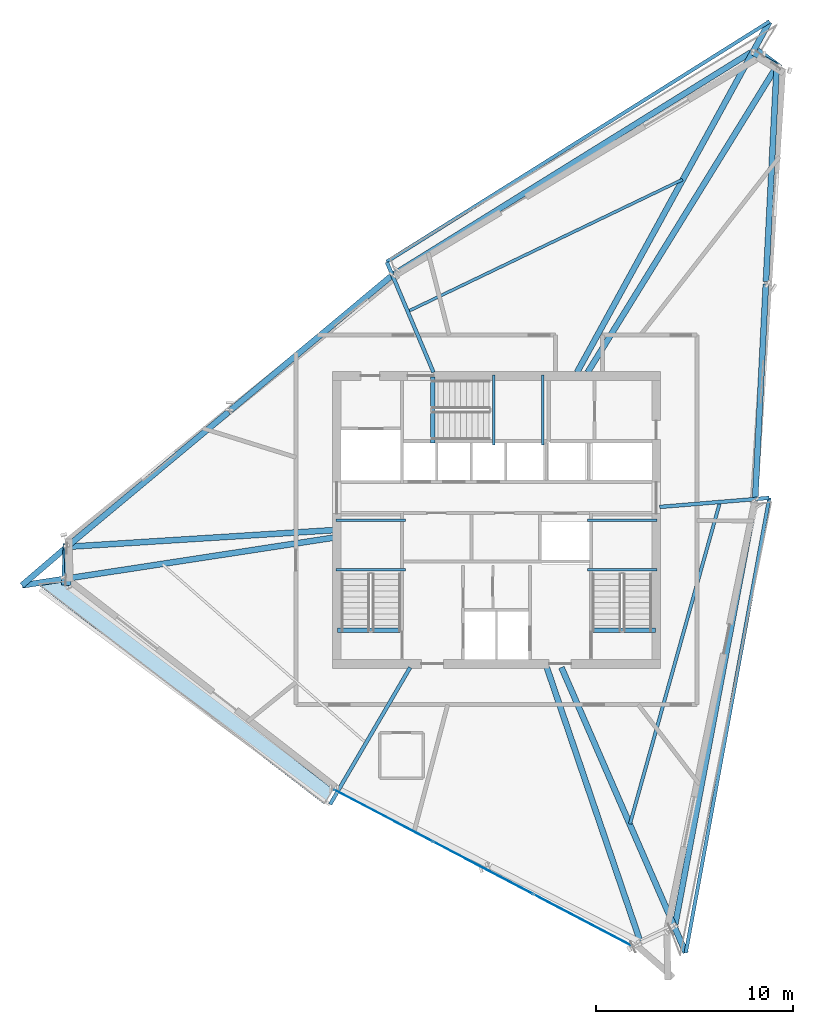
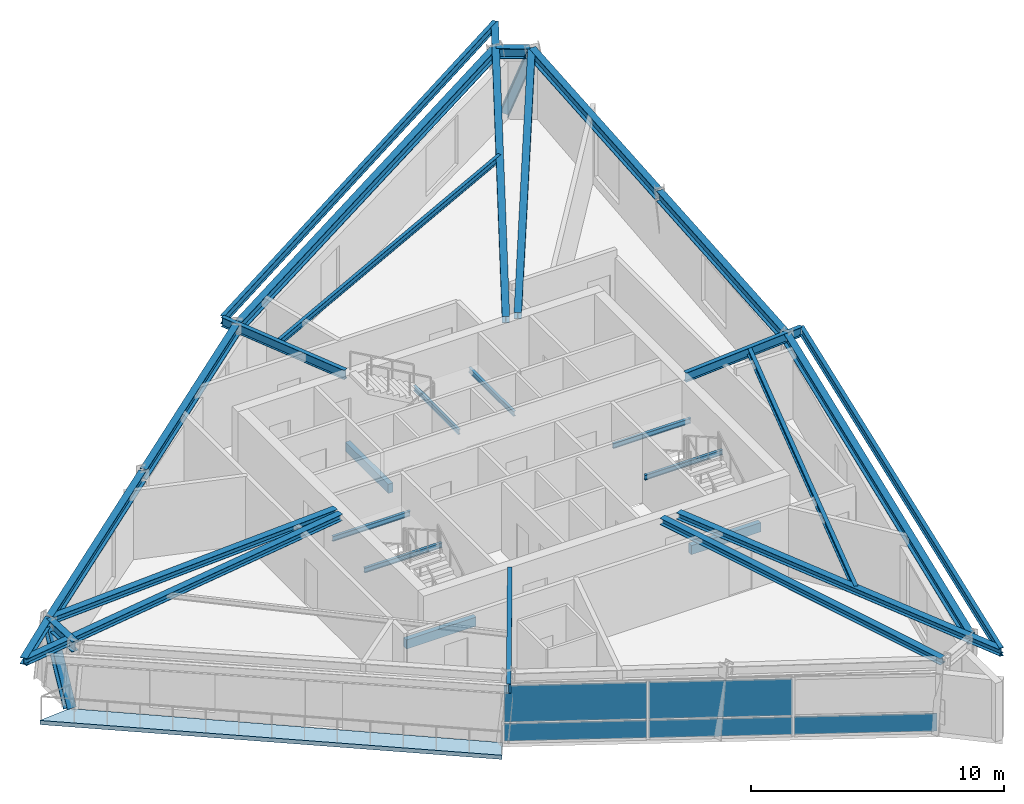
# One storey, part 5 of 14: 31 beams, 5 plates, 2 members, 1 slab, 1 element without a shape of its own.
"""IFC4 building model written with IfcOpenShell, lengths in metres."""

import ifcopenshell
import ifcopenshell.guid

model = None  # the IFC model being written
_history = None  # IfcOwnerHistory: only IFC2X3 demands one
_inside = {}  # id of a spatial element -> (the spatial element, [elements in it])
_under = {}  # id of a project, library or spatial element -> (it, [spatial elements below it])
_declared = {}  # id of a project -> (the project, [libraries it declares])
_typed = {}  # id of a type object -> (the type object, [elements of that type])
_made_of = {}  # id of a material, layer set ... -> (it, [elements and type objects made of it])


def new_model(schema):
    """Start an empty IFC model of exactly this schema.

    Asked for "IFC4X3", IfcOpenShell would pick the latest addendum, in which some entities
    have other attributes; the version numbers below select the first issue.
    IFC2X3 requires an IfcOwnerHistory on every rooted entity: one is made here for all.
    """
    global model, _history
    if schema == "IFC4X3":
        model = ifcopenshell.file(schema_version=(4, 3, 0, 0))
    else:
        model = ifcopenshell.file(schema=schema)
    _inside.clear()
    _under.clear()
    _declared.clear()
    _typed.clear()
    _made_of.clear()
    _history = None
    if model.schema == "IFC2X3":
        org = make("IfcOrganization", Name="unknown")
        user = make(
            "IfcPersonAndOrganization",
            ThePerson=make("IfcPerson", FamilyName="unknown"),
            TheOrganization=org,
        )
        app = make(
            "IfcApplication",
            ApplicationDeveloper=org,
            Version="unknown",
            ApplicationFullName="unknown",
            ApplicationIdentifier="unknown",
        )
        _history = make(
            "IfcOwnerHistory",
            OwningUser=user,
            OwningApplication=app,
            ChangeAction="ADDED",
            CreationDate=0,
        )
    return model


def make(cls, **values):
    """One entity of the class cls with the attributes given. An attribute that is None is left unset."""
    return model.create_entity(
        cls, **{name: value for name, value in values.items() if value is not None}
    )


def rooted(cls, **values):
    """An entity with a GlobalId (a new one), such as an element, a storey or a relation."""
    return make(cls, GlobalId=ifcopenshell.guid.new(), OwnerHistory=_history, **values)


def si_unit(unit_type, name, prefix=None):
    """IfcSIUnit, for example si_unit("LENGTHUNIT", "METRE", prefix="MILLI")."""
    return make("IfcSIUnit", UnitType=unit_type, Prefix=prefix, Name=name)


def assignment(units):
    """IfcUnitAssignment: the units of a project."""
    return None if units is None else make("IfcUnitAssignment", Units=units)


def point(xyz):
    """IfcCartesianPoint."""
    return None if xyz is None else make("IfcCartesianPoint", Coordinates=xyz)


def direction(xyz):
    """IfcDirection."""
    return None if xyz is None else make("IfcDirection", DirectionRatios=xyz)


def frame(location, z_axis=None, x_axis=None):
    """IfcAxis2Placement3D, a coordinate frame: its origin and axes. An axis left out is left unset."""
    return make(
        "IfcAxis2Placement3D",
        Location=point(location),
        Axis=direction(z_axis),
        RefDirection=direction(x_axis),
    )


def frame_2d(location, x_axis=None):
    """IfcAxis2Placement2D, a coordinate frame in the plane: its origin and x axis."""
    return make(
        "IfcAxis2Placement2D", Location=point(location), RefDirection=direction(x_axis)
    )


def origin():
    """The frame at (0, 0, 0) with its axes left unset."""
    return frame((0.0, 0.0, 0.0))


def origin_2d():
    """The frame at (0, 0) in the plane with its x axis left unset."""
    return frame_2d((0.0, 0.0))


def place(relative_to, where):
    """IfcLocalPlacement: puts the frame where relative to a parent placement (None: the world)."""
    return make(
        "IfcLocalPlacement", PlacementRelTo=relative_to, RelativePlacement=where
    )


def context(
    kind, dimensions, precision=None, world=None, true_north=None, identifier=None
):
    """IfcGeometricRepresentationContext, for example the 3D "Model" context."""
    return make(
        "IfcGeometricRepresentationContext",
        ContextIdentifier=identifier,
        ContextType=kind,
        CoordinateSpaceDimension=dimensions,
        Precision=precision,
        WorldCoordinateSystem=world,
        TrueNorth=true_north,
    )


def subcontext(parent, identifier, kind, view, scale=None):
    """IfcGeometricRepresentationSubContext, for example "Body" below "Model"."""
    return make(
        "IfcGeometricRepresentationSubContext",
        ContextIdentifier=identifier,
        ContextType=kind,
        ParentContext=parent,
        TargetScale=scale,
        TargetView=view,
    )


def project(units=None, contexts=None):
    """IfcProject with its units and contexts."""
    return rooted(
        "IfcProject",
        Name="project",
        RepresentationContexts=contexts,
        UnitsInContext=assignment(units),
    )


def spatial(cls, under=None, at=None, **own):
    """A site, building, storey or space (cls), placed at a placement, below another one or the project."""
    s = rooted(cls, ObjectPlacement=at, **own)
    if under is not None:
        _under.setdefault(under.id(), (under, []))[1].append(s)
    return s


def polyline(points):
    """IfcPolyline through the points."""
    return make("IfcPolyline", Points=[point(p) for p in points])


def profile(cls, at=None, kind="AREA", **sizes):
    """A parametric profile (cls). Its sizes go by their IFC names, for example OverallWidth=200.0."""
    return make(cls, ProfileType=kind, Position=at, **sizes)


def rectangle(**sizes):
    """IfcRectangleProfileDef."""
    return profile("IfcRectangleProfileDef", **sizes)


def i_section(**sizes):
    """IfcIShapeProfileDef."""
    return profile("IfcIShapeProfileDef", **sizes)


def outline(outer, holes=None, kind="AREA"):
    """IfcArbitraryClosedProfileDef: a profile drawn as a closed curve; with holes, ...WithVoids."""
    if holes is None:
        return make("IfcArbitraryClosedProfileDef", ProfileType=kind, OuterCurve=outer)
    return make(
        "IfcArbitraryProfileDefWithVoids",
        ProfileType=kind,
        OuterCurve=outer,
        InnerCurves=holes,
    )


def extrude(swept, where, along, depth):
    """IfcExtrudedAreaSolid: the profile swept, set in the frame where, extruded along a direction by depth."""
    return make(
        "IfcExtrudedAreaSolid",
        SweptArea=swept,
        Position=where,
        ExtrudedDirection=direction(along),
        Depth=depth,
    )


def shape(context_of_items, identifier, shape_type, items):
    """IfcShapeRepresentation: the items that make up one representation, for example the "Body"."""
    return make(
        "IfcShapeRepresentation",
        ContextOfItems=context_of_items,
        RepresentationIdentifier=identifier,
        RepresentationType=shape_type,
        Items=items,
    )


def source(mapping_origin, context_of_items, identifier, shape_type, items):
    """IfcRepresentationMap: a shape defined once, which mapped items show again and again."""
    return make(
        "IfcRepresentationMap",
        MappingOrigin=mapping_origin,
        MappedRepresentation=shape(context_of_items, identifier, shape_type, items),
    )


def transform(
    local_origin,
    x_axis=None,
    y_axis=None,
    z_axis=None,
    scale=None,
    scale2=None,
    scale3=None,
    uniform=True,
):
    """IfcCartesianTransformationOperator3D, or its non-uniform kind. x_axis, y_axis, z_axis: its Axis1, 2, 3."""
    if uniform:
        return make(
            "IfcCartesianTransformationOperator3D",
            Axis1=direction(x_axis),
            Axis2=direction(y_axis),
            LocalOrigin=point(local_origin),
            Scale=scale,
            Axis3=direction(z_axis),
        )
    return make(
        "IfcCartesianTransformationOperator3DnonUniform",
        Axis1=direction(x_axis),
        Axis2=direction(y_axis),
        LocalOrigin=point(local_origin),
        Scale=scale,
        Axis3=direction(z_axis),
        Scale2=scale2,
        Scale3=scale3,
    )


def mapped(mapping_source, mapping_target):
    """IfcMappedItem: shows the shape of a source again, moved by a transform."""
    return make(
        "IfcMappedItem", MappingSource=mapping_source, MappingTarget=mapping_target
    )


def material(Name=None, Category=None):
    """IfcMaterial."""
    return make("IfcMaterial", Name=Name, Category=Category)


def layer(
    of_material, thickness, ventilated=None, Name=None, Category=None, Priority=None
):
    """IfcMaterialLayer: one layer of a wall or slab, of a material (None: an air gap)."""
    return make(
        "IfcMaterialLayer",
        Material=of_material,
        LayerThickness=thickness,
        IsVentilated=ventilated,
        Name=Name,
        Category=Category,
        Priority=Priority,
    )


def layer_set(layers, Name=None):
    """IfcMaterialLayerSet."""
    return make("IfcMaterialLayerSet", MaterialLayers=layers, LayerSetName=Name)


def material_profile(
    of_material, cross_section, Name=None, Category=None, Priority=None
):
    """IfcMaterialProfile: a cross section and its material."""
    return make(
        "IfcMaterialProfile",
        Name=Name,
        Material=of_material,
        Profile=cross_section,
        Priority=Priority,
        Category=Category,
    )


def profile_set(profiles, Name=None, composite=None):
    """IfcMaterialProfileSet."""
    return make(
        "IfcMaterialProfileSet",
        Name=Name,
        MaterialProfiles=profiles,
        CompositeProfile=composite,
    )


def made_of(thing, what):
    """Note that an element or type object is made of a material, layer set ...; save() writes the relation."""
    if what is not None:
        _made_of.setdefault(what.id(), (what, []))[1].append(thing)
    return thing


def type_object(cls, material=None, **own):
    """A type object (cls), such as IfcWallType, which elements share."""
    return made_of(rooted(cls, **own), material)


def element(
    cls,
    number,
    at=None,
    inside=None,
    cuts=None,
    type_object=None,
    material=None,
    context=None,
    identifier="Body",
    shape_type=None,
    held_by="IfcProductDefinitionShape",
    body=None,
    shapes=None,
    **own,
):
    """One element of the class cls, such as IfcWall. Its Tag is "e" and its number.

    at: its placement. inside: the storey or other place that contains it. cuts: it is an
    opening in that element (IfcRelVoidsElement). A single representation is given by context,
    identifier, shape_type and body (its items); several are given by shapes. held_by: the class
    of the entity that holds the representations. save() writes the other relations.
    """
    e = rooted(cls, Tag="e%d" % number, ObjectPlacement=at, **own)
    if body is not None:
        shapes = [shape(context, identifier, shape_type, body)]
    if shapes is not None:
        e.Representation = make(held_by, Representations=shapes)
    if inside is not None:
        _inside.setdefault(inside.id(), (inside, []))[1].append(e)
    if cuts is not None:
        rooted(
            "IfcRelVoidsElement", RelatingBuildingElement=cuts, RelatedOpeningElement=e
        )
    if type_object is not None:
        _typed.setdefault(type_object.id(), (type_object, []))[1].append(e)
    return made_of(e, material)


def aggregate(whole, parts):
    """IfcRelAggregates: a whole, such as a stair, and the parts it consists of."""
    return rooted("IfcRelAggregates", RelatingObject=whole, RelatedObjects=parts)


def save(model, path):
    """Write the relations noted so far, then the file.

    IfcRelAggregates (storeys below a building ...), IfcRelContainedInSpatialStructure (elements
    in a storey), IfcRelDefinesByType, IfcRelAssociatesMaterial and IfcRelDeclares: one each for
    every whole, place, type object, material and project.
    """
    for whole, parts in _under.values():
        aggregate(whole, parts)
    for where, things in _inside.values():
        rooted(
            "IfcRelContainedInSpatialStructure",
            RelatedElements=things,
            RelatingStructure=where,
        )
    for kind, things in _typed.values():
        rooted("IfcRelDefinesByType", RelatedObjects=things, RelatingType=kind)
    for what, things in _made_of.values():
        rooted("IfcRelAssociatesMaterial", RelatedObjects=things, RelatingMaterial=what)
    for by, libraries in _declared.values():
        rooted("IfcRelDeclares", RelatingContext=by, RelatedDefinitions=libraries)
    model.write(path)


model = new_model("IFC4")

# Units and contexts
model_context = context("Model", 3, precision=1e-05, world=origin(), true_north=direction((0.0, 1.0)))
body_context = subcontext(model_context, "Body", "Model", "MODEL_VIEW")
ifc_project = project(units=[si_unit("LENGTHUNIT", "METRE"), si_unit("AREAUNIT", "SQUARE_METRE"), si_unit("VOLUMEUNIT", "CUBIC_METRE"), si_unit("PLANEANGLEUNIT", "RADIAN"), si_unit("MASSUNIT", "GRAM", prefix="KILO")], contexts=[model_context])

# Site, building, storey
site_placement = place(None, origin())
site = spatial("IfcSite", under=ifc_project, at=site_placement, CompositionType="ELEMENT")
building_placement = place(site_placement, origin())
building = spatial("IfcBuilding", under=site, at=building_placement, Name="Olszyna Solenne Hotel", CompositionType="ELEMENT")
storey_placement = place(building_placement, frame((0.0, 0.0, 274.10009765625)))
storey = spatial("IfcBuildingStorey", under=building, at=storey_placement, Name="L73", CompositionType="ELEMENT", Elevation=274.10009765625)

# Beams
ifc_material_1 = material(Name="Steel S355J2", Category="steel")
ifc_material_profile_1 = material_profile(ifc_material_1, i_section(OverallWidth=0.300048828125, OverallDepth=0.5, WebThickness=0.014404296875, FlangeThickness=0.028076171875, at=origin_2d()), Name="HEB 500", Category="load-bearing")
ifc_profile_set_1 = profile_set([ifc_material_profile_1], Name="Steel S355J2")
beam_type_1 = type_object("IfcBeamType", Name="BM-S3", PredefinedType="BEAM", material=ifc_profile_set_1)
shared_shape_1 = source(origin(), body_context, "Body", "SweptSolid", [
    extrude(i_section(OverallWidth=0.300048828125, OverallDepth=0.5, WebThickness=0.014404296875, FlangeThickness=0.028076171875, at=origin_2d()), origin(), (0.0, 0.0, 1.0), 1.340576171875),
])
beam_1_placement = place(storey_placement, frame((52.19873046875, 49.698974609375, 3.06982421875), z_axis=(-0.862149496171, 0.506653970923, 0.0), x_axis=(-0.506653970923, -0.862149496171, 0.0)))
element("IfcBeam", 1, at=beam_1_placement, inside=storey, type_object=beam_type_1, Name="Perimeter spandrel beam BM-S3 B-L73-2140", PredefinedType="BEAM", context=body_context, shape_type="MappedRepresentation", body=[
    mapped(shared_shape_1, transform((0.0, 0.0, 0.0), x_axis=(1.0, 0.0, 0.0), y_axis=(0.0, 1.0, 0.0), z_axis=(0.0, 0.0, 1.0), scale=1.0)),
])
shared_shape_2 = source(origin(), body_context, "Body", "SweptSolid", [
    extrude(i_section(OverallWidth=0.300048828125, OverallDepth=0.5, WebThickness=0.014404296875, FlangeThickness=0.028076171875, at=origin_2d()), origin(), (0.0, 0.0, 1.0), 21.4287109375),
])
beam_2_placement = place(storey_placement, frame((50.940185546875, 50.376953125, 3.06982421875), z_axis=(-0.849321219386, -0.52787637407, 0.0), x_axis=(0.52787637407, -0.849321219386, 0.0)))
element("IfcBeam", 2, at=beam_2_placement, inside=storey, type_object=beam_type_1, Name="Perimeter spandrel beam BM-S3 B-L73-2141", PredefinedType="BEAM", context=body_context, shape_type="MappedRepresentation", body=[
    mapped(shared_shape_2, transform((0.0, 0.0, 0.0), x_axis=(1.0, 0.0, 0.0), y_axis=(0.0, 1.0, 0.0), z_axis=(0.0, 0.0, 1.0), scale=1.0)),
])
shared_shape_3 = source(origin(), body_context, "Body", "SweptSolid", [
    extrude(i_section(OverallWidth=0.300048828125, OverallDepth=0.5, WebThickness=0.014404296875, FlangeThickness=0.028076171875, at=origin_2d()), origin(), (0.0, 0.0, 1.0), 10.654541015625),
])
for number, where, z_axis, x_axis, name in (
    (3, (32.643310546875, 38.9951171875, 3.06982421875), (-0.767787235301, -0.640704894089, 0.0), (0.640704894089, -0.767787235301, 0.0), "Perimeter spandrel beam BM-S3 B-L73-2142"),
    (4, (24.370849609375, 32.091796875, 3.06982421875), (-0.767766556399, -0.64072967379, 0.0), (0.64072967379, -0.767766556399, 0.0), "Perimeter spandrel beam BM-S3 B-L73-2143"),
):
    element("IfcBeam", number, at=place(storey_placement, frame(where, z_axis=z_axis, x_axis=x_axis)), inside=storey, type_object=beam_type_1, Name=name, PredefinedType="BEAM", context=body_context, shape_type="MappedRepresentation", body=[
        mapped(shared_shape_3, transform((0.0, 0.0, 0.0), x_axis=(1.0, 0.0, 0.0), y_axis=(0.0, 1.0, 0.0), z_axis=(0.0, 0.0, 1.0), scale=1.0)),
    ])
shared_shape_4 = source(origin(), body_context, "Body", "SweptSolid", [
    extrude(i_section(OverallWidth=0.300048828125, OverallDepth=0.5, WebThickness=0.014404296875, FlangeThickness=0.028076171875, at=origin_2d()), origin(), (0.0, 0.0, 1.0), 1.904052734375),
])
beam_3_placement = place(storey_placement, frame((16.146484375, 25.166748046875, 3.06982421875), z_axis=(0.035005476507, -0.999387120497, 0.0), x_axis=(0.999387120497, 0.035005476507, 0.0)))
element("IfcBeam", 5, at=beam_3_placement, inside=storey, type_object=beam_type_1, Name="Perimeter spandrel beam BM-S3 B-L73-2144", PredefinedType="BEAM", context=body_context, shape_type="MappedRepresentation", body=[
    mapped(shared_shape_4, transform((0.0, 0.0, 0.0), x_axis=(1.0, 0.0, 0.0), y_axis=(0.0, 1.0, 0.0), z_axis=(0.0, 0.0, 1.0), scale=1.0)),
])
shared_shape_5 = source(origin(), body_context, "Body", "SweptSolid", [
    extrude(i_section(OverallWidth=0.300048828125, OverallDepth=0.5, WebThickness=0.014404296875, FlangeThickness=0.028076171875, at=origin_2d()), origin(), (0.0, 0.0, 1.0), 21.933349609375),
])
beam_4_placement = place(storey_placement, frame((47.089111328125, 6.028076171875, 3.06982421875), z_axis=(0.184809359819, 0.982774389432, 0.0), x_axis=(-0.982774389432, 0.184809359819, 0.0)))
element("IfcBeam", 6, at=beam_4_placement, inside=storey, type_object=beam_type_1, Name="Perimeter spandrel beam BM-S3 B-L73-2149", PredefinedType="BEAM", context=body_context, shape_type="MappedRepresentation", body=[
    mapped(shared_shape_5, transform((0.0, 0.0, 0.0), x_axis=(1.0, 0.0, 0.0), y_axis=(0.0, 1.0, 0.0), z_axis=(0.0, 0.0, 1.0), scale=1.0)),
])
shared_shape_6 = source(origin(), body_context, "Body", "SweptSolid", [
    extrude(i_section(OverallWidth=0.300048828125, OverallDepth=0.5, WebThickness=0.014404296875, FlangeThickness=0.028076171875, at=origin_2d()), origin(), (0.0, 0.0, 1.0), 10.90673828125),
])
for number, where, z_axis, x_axis, name in (
    (7, (51.15673828125, 27.702392578125, 3.06982421875), (0.049715447713, 0.998763422567, 0.0), (-0.998763422567, 0.049715447713, 0.0), "Perimeter spandrel beam BM-S3 B-L73-2150"),
    (8, (51.705078125, 38.71533203125, 3.06982421875), (0.049715447713, 0.998763422567, 0.0), (-0.998763422567, 0.049715447713, 0.0), "Perimeter spandrel beam BM-S3 B-L73-2151"),
):
    element("IfcBeam", number, at=place(storey_placement, frame(where, z_axis=z_axis, x_axis=x_axis)), inside=storey, type_object=beam_type_1, Name=name, PredefinedType="BEAM", context=body_context, shape_type="MappedRepresentation", body=[
        mapped(shared_shape_6, transform((0.0, 0.0, 0.0), x_axis=(1.0, 0.0, 0.0), y_axis=(0.0, 1.0, 0.0), z_axis=(0.0, 0.0, 1.0), scale=1.0)),
    ])
ifc_material_profile_2 = material_profile(ifc_material_1, i_section(OverallWidth=0.300048828125, OverallDepth=0.31005859375, WebThickness=0.009033203125, FlangeThickness=0.015380859375, at=origin_2d()), Name="HEA 320", Category="load-bearing")
ifc_profile_set_2 = profile_set([ifc_material_profile_2], Name="Steel S355J2")
beam_type_2 = type_object("IfcBeamType", Name="BM-G3", PredefinedType="BEAM", material=ifc_profile_set_2)
shared_shape_7 = source(origin(), body_context, "Body", "SweptSolid", [
    extrude(i_section(OverallWidth=0.300048828125, OverallDepth=0.31005859375, WebThickness=0.009033203125, FlangeThickness=0.015380859375, at=origin_2d()), origin(), (0.0, 0.0, 1.0), 18.230712890625),
])
beam_5_placement = place(storey_placement, frame((52.218994140625, 49.617431640625, 3.164794921875), z_axis=(-0.525555888028, -0.850759077859, 0.0), x_axis=(0.850759077859, -0.525555888028, 0.0)))
element("IfcBeam", 9, at=beam_5_placement, inside=storey, type_object=beam_type_2, Name="Radial floor girder BM-G3 B-L73-2152", PredefinedType="BEAM", context=body_context, shape_type="MappedRepresentation", body=[
    mapped(shared_shape_7, transform((0.0, 0.0, 0.0), x_axis=(1.0, 0.0, 0.0), y_axis=(0.0, 1.0, 0.0), z_axis=(0.0, 0.0, 1.0), scale=1.0)),
])
shared_shape_8 = source(origin(), body_context, "Body", "SweptSolid", [
    extrude(i_section(OverallWidth=0.300048828125, OverallDepth=0.31005859375, WebThickness=0.009033203125, FlangeThickness=0.015380859375, at=origin_2d()), origin(), (0.0, 0.0, 1.0), 20.331787109375),
])
beam_6_placement = place(storey_placement, frame((51.876953125, 51.9306640625, 3.164794921875), z_axis=(-0.481080058178, -0.876676666522, 0.0), x_axis=(0.876676666522, -0.481080058178, 0.0)))
element("IfcBeam", 10, at=beam_6_placement, inside=storey, type_object=beam_type_2, Name="Radial floor girder BM-G3 B-L73-2153", PredefinedType="BEAM", context=body_context, shape_type="MappedRepresentation", body=[
    mapped(shared_shape_8, transform((0.0, 0.0, 0.0), x_axis=(1.0, 0.0, 0.0), y_axis=(0.0, 1.0, 0.0), z_axis=(0.0, 0.0, 1.0), scale=1.0)),
])
ifc_material_profile_3 = material_profile(ifc_material_1, i_section(OverallWidth=0.18994140625, OverallDepth=0.449951171875, WebThickness=0.009521484375, FlangeThickness=0.0146484375, at=origin_2d()), Name="IPE 450", Category="load-bearing")
ifc_profile_set_3 = profile_set([ifc_material_profile_3], Name="Steel S355J2")
beam_type_3 = type_object("IfcBeamType", Name="BM-F4", PredefinedType="BEAM", material=ifc_profile_set_3)
shared_shape_9 = source(origin(), body_context, "Body", "SweptSolid", [
    extrude(i_section(OverallWidth=0.18994140625, OverallDepth=0.449951171875, WebThickness=0.009521484375, FlangeThickness=0.0146484375, at=origin_2d()), origin(), (0.0, 0.0, 1.0), 6.086669921875),
])
beam_7_placement = place(storey_placement, frame((32.4228515625, 39.70947265625, 3.094970703125), z_axis=(0.389713265432, -0.920936246842, 0.0), x_axis=(0.920936246842, 0.389713265432, 0.0)))
element("IfcBeam", 11, at=beam_7_placement, inside=storey, type_object=beam_type_3, Name="Radial floor girder BM-F4 B-L73-2154", PredefinedType="BEAM", context=body_context, shape_type="MappedRepresentation", body=[
    mapped(shared_shape_9, transform((0.0, 0.0, 0.0), x_axis=(1.0, 0.0, 0.0), y_axis=(0.0, 1.0, 0.0), z_axis=(0.0, 0.0, 1.0), scale=1.0)),
])
shared_shape_10 = source(origin(), body_context, "Body", "SweptSolid", [
    extrude(i_section(OverallWidth=0.300048828125, OverallDepth=0.31005859375, WebThickness=0.009033203125, FlangeThickness=0.015380859375, at=origin_2d()), origin(), (0.0, 0.0, 1.0), 13.522216796875),
])
beam_8_placement = place(storey_placement, frame((16.204345703125, 25.230712890625, 3.164794921875), z_axis=(0.998032152153, 0.062704252405, 0.0), x_axis=(-0.062704252405, 0.998032152153, 0.0)))
element("IfcBeam", 12, at=beam_8_placement, inside=storey, type_object=beam_type_2, Name="Radial floor girder BM-G3 B-L73-2155", PredefinedType="BEAM", context=body_context, shape_type="MappedRepresentation", body=[
    mapped(shared_shape_10, transform((0.0, 0.0, 0.0), x_axis=(1.0, 0.0, 0.0), y_axis=(0.0, 1.0, 0.0), z_axis=(0.0, 0.0, 1.0), scale=1.0)),
])
shared_shape_11 = source(origin(), body_context, "Body", "SweptSolid", [
    extrude(i_section(OverallWidth=0.300048828125, OverallDepth=0.31005859375, WebThickness=0.009033203125, FlangeThickness=0.015380859375, at=origin_2d()), origin(), (0.0, 0.0, 1.0), 16.002685546875),
])
beam_9_placement = place(storey_placement, frame((13.88134765625, 23.270751953125, 3.164794921875), z_axis=(0.988479212834, 0.151356684012, 0.0), x_axis=(-0.151356684012, 0.988479212834, 0.0)))
element("IfcBeam", 13, at=beam_9_placement, inside=storey, type_object=beam_type_2, Name="Radial floor girder BM-G3 B-L73-2156", PredefinedType="BEAM", context=body_context, shape_type="MappedRepresentation", body=[
    mapped(shared_shape_11, transform((0.0, 0.0, 0.0), x_axis=(1.0, 0.0, 0.0), y_axis=(0.0, 1.0, 0.0), z_axis=(0.0, 0.0, 1.0), scale=1.0)),
])
shared_shape_12 = source(origin(), body_context, "Body", "SweptSolid", [
    extrude(i_section(OverallWidth=0.18994140625, OverallDepth=0.449951171875, WebThickness=0.009521484375, FlangeThickness=0.0146484375, at=origin_2d()), origin(), (0.0, 0.0, 1.0), 8.058349609375),
])
beam_10_placement = place(storey_placement, frame((29.5390625, 12.136962890625, 3.094970703125), z_axis=(0.504799406762, 0.863236676082, 0.0), x_axis=(-0.863236676082, 0.504799406762, 0.0)))
element("IfcBeam", 14, at=beam_10_placement, inside=storey, type_object=beam_type_3, Name="Radial floor girder BM-F4 B-L73-2157", PredefinedType="BEAM", context=body_context, shape_type="MappedRepresentation", body=[
    mapped(shared_shape_12, transform((0.0, 0.0, 0.0), x_axis=(1.0, 0.0, 0.0), y_axis=(0.0, 1.0, 0.0), z_axis=(0.0, 0.0, 1.0), scale=1.0)),
])
shared_shape_13 = source(origin(), body_context, "Body", "SweptSolid", [
    extrude(i_section(OverallWidth=0.300048828125, OverallDepth=0.31005859375, WebThickness=0.009033203125, FlangeThickness=0.015380859375, at=origin_2d()), origin(), (0.0, 0.0, 1.0), 14.70361328125),
])
beam_11_placement = place(storey_placement, frame((45.301513671875, 5.18017578125, 3.164794921875), z_axis=(-0.322636400945, 0.94652298059, 0.0), x_axis=(-0.94652298059, -0.322636400945, 0.0)))
element("IfcBeam", 15, at=beam_11_placement, inside=storey, type_object=beam_type_2, Name="Radial floor girder BM-G3 B-L73-2158", PredefinedType="BEAM", context=body_context, shape_type="MappedRepresentation", body=[
    mapped(shared_shape_13, transform((0.0, 0.0, 0.0), x_axis=(1.0, 0.0, 0.0), y_axis=(0.0, 1.0, 0.0), z_axis=(0.0, 0.0, 1.0), scale=1.0)),
])
shared_shape_14 = source(origin(), body_context, "Body", "SweptSolid", [
    extrude(i_section(OverallWidth=0.300048828125, OverallDepth=0.31005859375, WebThickness=0.009033203125, FlangeThickness=0.015380859375, at=origin_2d()), origin(), (0.0, 0.0, 1.0), 15.813232421875),
])
beam_12_placement = place(storey_placement, frame((47.618408203125, 4.5986328125, 3.164794921875), z_axis=(-0.399435052258, 0.916761495171, 0.0), x_axis=(-0.916761495171, -0.399435052258, 0.0)))
element("IfcBeam", 16, at=beam_12_placement, inside=storey, type_object=beam_type_2, Name="Radial floor girder BM-G3 B-L73-2159", PredefinedType="BEAM", context=body_context, shape_type="MappedRepresentation", body=[
    mapped(shared_shape_14, transform((0.0, 0.0, 0.0), x_axis=(1.0, 0.0, 0.0), y_axis=(0.0, 1.0, 0.0), z_axis=(0.0, 0.0, 1.0), scale=1.0)),
])
shared_shape_15 = source(origin(), body_context, "Body", "SweptSolid", [
    extrude(i_section(OverallWidth=0.18994140625, OverallDepth=0.449951171875, WebThickness=0.009521484375, FlangeThickness=0.0146484375, at=origin_2d()), origin(), (0.0, 0.0, 1.0), 5.57421875),
])
beam_13_placement = place(storey_placement, frame((51.855712890625, 27.71630859375, 3.094970703125), z_axis=(-0.996611591393, -0.082251661992, 0.0), x_axis=(0.082251661992, -0.996611591393, 0.0)))
element("IfcBeam", 17, at=beam_13_placement, inside=storey, type_object=beam_type_3, Name="Radial floor girder BM-F4 B-L73-2160", PredefinedType="BEAM", context=body_context, shape_type="MappedRepresentation", body=[
    mapped(shared_shape_15, transform((0.0, 0.0, 0.0), x_axis=(1.0, 0.0, 0.0), y_axis=(0.0, 1.0, 0.0), z_axis=(0.0, 0.0, 1.0), scale=1.0)),
])
shared_shape_16 = source(origin(), body_context, "Body", "SweptSolid", [
    extrude(i_section(OverallWidth=0.300048828125, OverallDepth=0.31005859375, WebThickness=0.009033203125, FlangeThickness=0.015380859375, at=origin_2d()), origin(), (0.0, 0.0, 1.0), 3.00830078125),
])
beam_14_placement = place(storey_placement, frame((16.14453125, 25.226806640625, 3.164794921875), z_axis=(-0.758861199742, -0.651252393106, 0.0), x_axis=(0.651252393106, -0.758861199742, 0.0)))
element("IfcBeam", 18, at=beam_14_placement, inside=storey, type_object=beam_type_2, Name="Prism side edge beam BM-G3 B-L73-2161", PredefinedType="BEAM", context=body_context, shape_type="MappedRepresentation", body=[
    mapped(shared_shape_16, transform((0.0, 0.0, 0.0), x_axis=(1.0, 0.0, 0.0), y_axis=(0.0, 1.0, 0.0), z_axis=(0.0, 0.0, 1.0), scale=1.0)),
])
ifc_material_profile_4 = material_profile(ifc_material_1, i_section(OverallWidth=0.14990234375, OverallDepth=0.300048828125, WebThickness=0.007080078125, FlangeThickness=0.0107421875, at=origin_2d()), Name="IPE 300", Category="load-bearing")
ifc_profile_set_4 = profile_set([ifc_material_profile_4], Name="Steel S355J2")
beam_type_4 = type_object("IfcBeamType", Name="JS-02", PredefinedType="JOIST", material=ifc_profile_set_4)
shared_shape_17 = source(origin(), body_context, "Body", "SweptSolid", [
    extrude(i_section(OverallWidth=0.14990234375, OverallDepth=0.300048828125, WebThickness=0.007080078125, FlangeThickness=0.0107421875, at=origin_2d()), origin(), (0.0, 0.0, 1.0), 15.485595703125),
])
beam_15_placement = place(storey_placement, frame((47.462646484375, 43.91064453125, 3.169921875), z_axis=(-0.901406165407, -0.432974508449, 0.0), x_axis=(0.432974508449, -0.901406165407, 0.0)))
element("IfcBeam", 19, at=beam_15_placement, inside=storey, type_object=beam_type_4, Name="Secondary composite floor joist JS-02 B-L73-2162", PredefinedType="JOIST", context=body_context, shape_type="MappedRepresentation", body=[
    mapped(shared_shape_17, transform((0.0, 0.0, 0.0), x_axis=(1.0, 0.0, 0.0), y_axis=(0.0, 1.0, 0.0), z_axis=(0.0, 0.0, 1.0), scale=1.0)),
])
ifc_material_profile_5 = material_profile(ifc_material_1, i_section(OverallWidth=0.169921875, OverallDepth=0.360107421875, WebThickness=0.008056640625, FlangeThickness=0.0126953125, at=origin_2d()), Name="IPE 360", Category="load-bearing")
ifc_profile_set_5 = profile_set([ifc_material_profile_5], Name="Steel S355J2")
beam_type_5 = type_object("IfcBeamType", Name="JS-01", PredefinedType="JOIST", material=ifc_profile_set_5)
shared_shape_18 = source(origin(), body_context, "Body", "SweptSolid", [
    extrude(i_section(OverallWidth=0.169921875, OverallDepth=0.360107421875, WebThickness=0.008056640625, FlangeThickness=0.0126953125, at=origin_2d()), origin(), (0.0, 0.0, 1.0), 16.987548828125),
])
beam_16_placement = place(storey_placement, frame((44.785888671875, 11.131591796875, 3.139892578125), z_axis=(0.269339388106, 0.963045322929, 0.0), x_axis=(-0.963045322929, 0.269339388106, 0.0)))
element("IfcBeam", 20, at=beam_16_placement, inside=storey, type_object=beam_type_5, Name="Secondary composite floor joist JS-01 B-L73-2164", PredefinedType="JOIST", context=body_context, shape_type="MappedRepresentation", body=[
    mapped(shared_shape_18, transform((0.0, 0.0, 0.0), x_axis=(1.0, 0.0, 0.0), y_axis=(0.0, 1.0, 0.0), z_axis=(0.0, 0.0, 1.0), scale=1.0)),
])
ifc_material_profile_6 = material_profile(ifc_material_1, i_section(OverallWidth=0.179931640625, OverallDepth=0.39990234375, WebThickness=0.008544921875, FlangeThickness=0.013427734375, at=origin_2d()), Name="IPE 400", Category="load-bearing")
ifc_profile_set_6 = profile_set([ifc_material_profile_6], Name="Steel S355J2")
beam_type_6 = type_object("IfcBeamType", Name="BM-F5", PredefinedType="BEAM", material=ifc_profile_set_6)
shared_shape_19 = source(origin(), body_context, "Body", "SweptSolid", [
    extrude(i_section(OverallWidth=0.179931640625, OverallDepth=0.39990234375, WebThickness=0.008544921875, FlangeThickness=0.013427734375, at=origin_2d()), origin(), (0.0, 0.0, 1.0), 22.988525390625),
])
beam_17_placement = place(storey_placement, frame((51.886474609375, 51.9482421875, 3.119873046875), z_axis=(-0.847003420563, -0.531587439236, 0.0), x_axis=(0.531587439236, -0.847003420563, 0.0)))
element("IfcBeam", 21, at=beam_17_placement, inside=storey, type_object=beam_type_6, Name="Loggia outer edge beam BM-F5 B-L73-2165", PredefinedType="BEAM", context=body_context, shape_type="MappedRepresentation", body=[
    mapped(shared_shape_19, transform((0.0, 0.0, 0.0), x_axis=(1.0, 0.0, 0.0), y_axis=(0.0, 1.0, 0.0), z_axis=(0.0, 0.0, 1.0), scale=1.0)),
])
shared_shape_20 = source(origin(), body_context, "Body", "SweptSolid", [
    extrude(i_section(OverallWidth=0.179931640625, OverallDepth=0.39990234375, WebThickness=0.008544921875, FlangeThickness=0.013427734375, at=origin_2d()), origin(), (0.0, 0.0, 1.0), 23.5244140625),
])
beam_18_placement = place(storey_placement, frame((47.62646484375, 4.580322265625, 3.119873046875), z_axis=(0.180632260863, 0.98355070349, 0.0), x_axis=(-0.98355070349, 0.180632260863, 0.0)))
element("IfcBeam", 22, at=beam_18_placement, inside=storey, type_object=beam_type_6, Name="Loggia outer edge beam BM-F5 B-L73-2167", PredefinedType="BEAM", context=body_context, shape_type="MappedRepresentation", body=[
    mapped(shared_shape_20, transform((0.0, 0.0, 0.0), x_axis=(1.0, 0.0, 0.0), y_axis=(0.0, 1.0, 0.0), z_axis=(0.0, 0.0, 1.0), scale=1.0)),
])

# Members
ifc_material_2 = material(Name="Steel S460M", Category="steel")
ifc_material_profile_7 = material_profile(ifc_material_2, i_section(OverallWidth=0.40087890625, OverallDepth=0.39892578125, WebThickness=0.02197265625, FlangeThickness=0.034423828125, at=origin_2d()), Name="HD 400x314", Category="load-bearing")
ifc_profile_set_7 = profile_set([ifc_material_profile_7], Name="Steel S460M")
member_type = type_object("IfcMemberType", Name="BR-T3", PredefinedType="BRACE", material=ifc_profile_set_7)
shared_shape_21 = source(origin(), body_context, "Body", "SweptSolid", [
    extrude(i_section(OverallWidth=0.40087890625, OverallDepth=0.39892578125, WebThickness=0.02197265625, FlangeThickness=0.034423828125, at=origin_2d()), origin(), (0.0, 0.0, 1.0), 3.224853515625),
])
member_1_placement = place(storey_placement, frame((51.379638671875, 50.32470703125, 0.010009765625), z_axis=(0.270042445863, -0.203497082837, 0.941098302362), x_axis=(0.601825405376, 0.798627686375, 0.0)))
element("IfcMember", 23, at=member_1_placement, inside=storey, type_object=member_type, Name="Perimeter braced-tube diagonal BR-T3 BR-L73-1", PredefinedType="BRACE", context=body_context, shape_type="MappedRepresentation", body=[
    mapped(shared_shape_21, transform((0.0, 0.0, 0.0), x_axis=(1.0, 0.0, 0.0), y_axis=(0.0, 1.0, 0.0), z_axis=(0.0, 0.0, 1.0), scale=1.0)),
])
shared_shape_22 = source(origin(), body_context, "Body", "SweptSolid", [
    extrude(i_section(OverallWidth=0.40087890625, OverallDepth=0.39892578125, WebThickness=0.02197265625, FlangeThickness=0.034423828125, at=origin_2d()), origin(), (0.0, 0.0, 1.0), 3.51025390625),
])
member_2_placement = place(storey_placement, frame((16.08447265625, 23.4638671875, 0.010009765625), z_axis=(0.017109214837, 0.50221805016, 0.864571746509), x_axis=(-0.999420214027, 0.034047551953, 0.0)))
element("IfcMember", 24, at=member_2_placement, inside=storey, type_object=member_type, Name="Perimeter braced-tube diagonal BR-T3 BR-L73-2", PredefinedType="BRACE", context=body_context, shape_type="MappedRepresentation", body=[
    mapped(shared_shape_22, transform((0.0, 0.0, 0.0), x_axis=(1.0, 0.0, 0.0), y_axis=(0.0, 1.0, 0.0), z_axis=(0.0, 0.0, 1.0), scale=1.0)),
])

# Beams
ifc_material_profile_8 = material_profile(ifc_material_1, i_section(OverallWidth=0.1201171875, OverallDepth=0.239990234375, WebThickness=0.006103515625, FlangeThickness=0.009765625, at=origin_2d()), Name="IPE 240", Category="load-bearing")
ifc_profile_set_8 = profile_set([ifc_material_profile_8], Name="Steel S355J2")
beam_type_7 = type_object("IfcBeamType", Name="JS-03", PredefinedType="JOIST", material=ifc_profile_set_8)
shared_shape_23 = source(origin(), body_context, "Body", "SweptSolid", [
    extrude(i_section(OverallWidth=0.1201171875, OverallDepth=0.239990234375, WebThickness=0.006103515625, FlangeThickness=0.009765625, at=origin_2d()), origin(), (0.0, 0.0, 1.0), 3.539794921875),
])
for number, where, z_axis, x_axis, name in (
    (25, (33.3798828125, 24.070068359375, 1.474853515625), (-1.0, 0.0, 0.0), (0.0, -1.0, 0.0), "Stair landing support beam JS-03 SLB-ST1-0151"),
    (26, (33.3798828125, 26.580078125, 1.474853515625), (-1.0, 0.0, 0.0), (0.0, -1.0, 0.0), "Stair landing support beam JS-03 SLB-ST1-0152"),
    (27, (46.159912109375, 24.070068359375, 1.474853515625), (-1.0, 0.0, 0.0), (0.0, -1.0, 0.0), "Stair landing support beam JS-03 SLB-ST2-0391"),
    (28, (46.159912109375, 26.580078125, 1.474853515625), (-1.0, 0.0, 0.0), (0.0, -1.0, 0.0), "Stair landing support beam JS-03 SLB-ST2-0392"),
):
    element("IfcBeam", number, at=place(storey_placement, frame(where, z_axis=z_axis, x_axis=x_axis)), inside=storey, type_object=beam_type_7, Name=name, PredefinedType="JOIST", context=body_context, shape_type="MappedRepresentation", body=[
        mapped(shared_shape_23, transform((0.0, 0.0, 0.0), x_axis=(1.0, 0.0, 0.0), y_axis=(0.0, 1.0, 0.0), z_axis=(0.0, 0.0, 1.0), scale=1.0)),
    ])
ifc_material_3 = material(Name="Concrete C50/60", Category="concrete")
ifc_material_profile_9 = material_profile(ifc_material_3, rectangle(XDim=0.219970703125, YDim=0.43994140625, at=origin_2d()), Name="RC 220x440", Category="load-bearing")
ifc_profile_set_9 = profile_set([ifc_material_profile_9], Name="Concrete C50/60")
beam_type_8 = type_object("IfcBeamType", Name="BM-ST1", PredefinedType="BEAM", material=ifc_profile_set_9)
shared_shape_24 = source(origin(), body_context, "Body", "SweptSolid", [
    extrude(rectangle(XDim=0.219970703125, YDim=0.43994140625, at=origin_2d()), origin(), (0.0, 0.0, 1.0), 3.18017578125),
])
for number, where, z_axis, x_axis, name in (
    (29, (33.10009765625, 20.97998046875, -0.205078125), (-1.0, 0.0, 0.0), (0.0, -1.0, 0.0), "Concrete stair trimmer beam BM-ST1 SHB-ST1-0235"),
    (30, (46.080078125, 20.97998046875, -0.205078125), (-1.0, 0.0, 0.0), (0.0, -1.0, 0.0), "Concrete stair trimmer beam BM-ST1 SHB-ST2-0475"),
):
    element("IfcBeam", number, at=place(storey_placement, frame(where, z_axis=z_axis, x_axis=x_axis)), inside=storey, type_object=beam_type_8, Name=name, PredefinedType="BEAM", context=body_context, shape_type="MappedRepresentation", body=[
        mapped(shared_shape_24, transform((0.0, 0.0, 0.0), x_axis=(1.0, 0.0, 0.0), y_axis=(0.0, 1.0, 0.0), z_axis=(0.0, 0.0, 1.0), scale=1.0)),
    ])
shared_shape_25 = source(origin(), body_context, "Body", "SweptSolid", [
    extrude(i_section(OverallWidth=0.1201171875, OverallDepth=0.239990234375, WebThickness=0.006103515625, FlangeThickness=0.009765625, at=origin_2d()), origin(), (0.0, 0.0, 1.0), 3.5400390625),
])
for number, where, z_axis, x_axis, name in (
    (31, (37.85009765625, 30.419921875, 1.474853515625), (0.0, 1.0, 0.0), (-1.0, 0.0, 0.0), "Stair landing support beam JS-03 SLB-ST3-0631"),
    (32, (40.360107421875, 30.419921875, 1.474853515625), (0.0, 1.0, 0.0), (-1.0, 0.0, 0.0), "Stair landing support beam JS-03 SLB-ST3-0632"),
):
    element("IfcBeam", number, at=place(storey_placement, frame(where, z_axis=z_axis, x_axis=x_axis)), inside=storey, type_object=beam_type_7, Name=name, PredefinedType="JOIST", context=body_context, shape_type="MappedRepresentation", body=[
        mapped(shared_shape_25, transform((0.0, 0.0, 0.0), x_axis=(1.0, 0.0, 0.0), y_axis=(0.0, 1.0, 0.0), z_axis=(0.0, 0.0, 1.0), scale=1.0)),
    ])
shared_shape_26 = source(origin(), body_context, "Body", "SweptSolid", [
    extrude(rectangle(XDim=0.219970703125, YDim=0.43994140625, at=origin_2d()), origin(), (0.0, 0.0, 1.0), 3.3798828125),
])
beam_19_placement = place(storey_placement, frame((34.760009765625, 30.5, -0.205078125), z_axis=(0.0, 1.0, 0.0), x_axis=(-1.0, 0.0, 0.0)))
element("IfcBeam", 33, at=beam_19_placement, inside=storey, type_object=beam_type_8, Name="Concrete stair trimmer beam BM-ST1 SHB-ST3-0713", PredefinedType="BEAM", context=body_context, shape_type="MappedRepresentation", body=[
    mapped(shared_shape_26, transform((0.0, 0.0, 0.0), x_axis=(1.0, 0.0, 0.0), y_axis=(0.0, 1.0, 0.0), z_axis=(0.0, 0.0, 1.0), scale=1.0)),
])

# Slab
ifc_material_4 = material(Name="Precast concrete C45/55", Category="concrete")
ifc_layer = layer(ifc_material_4, 0.199951171875, Name="Precast concrete C45/55")
ifc_layer_set = layer_set([ifc_layer], Name="Precast concrete C45/55")
slab_type = type_object("IfcSlabType", Name="SL-LOG200", PredefinedType="FLOOR", material=ifc_layer_set)
slab_placement = place(storey_placement, frame((0.0, 0.0, -0.2001953125)))
element("IfcSlab", 34, at=slab_placement, inside=storey, type_object=slab_type, Name="Exterior loggia balcony slab SL-L73-LG2", PredefinedType="FLOOR", context=body_context, shape_type="SweptSolid", body=[
    extrude(outline(polyline([(29.68408203125, 12.888671875), (29.68359375, 12.888916015625), (29.6826171875, 12.8896484375), (16.0751953125, 23.4521484375), (16.07421875, 23.452880859375), (16.072998046875, 23.4541015625), (16.072021484375, 23.455322265625), (16.0712890625, 23.45654296875), (16.07080078125, 23.457763671875), (16.070068359375, 23.459228515625), (16.06982421875, 23.460693359375), (16.069580078125, 23.462158203125), (16.069580078125, 23.462646484375), (14.63818359375, 23.335693359375), (29.23193359375, 12.138916015625), (29.68408203125, 12.888671875)])), origin(), (0.0, 0.0, 1.0), 0.2001953125),
])

# Curtain wall, plates
ifc_material_5 = material(Name="Anodised bronze aluminium", Category="aluminium")
curtain_wall_type = type_object("IfcCurtainWallType", Name="CW-SYS-4", PredefinedType="NOTDEFINED", material=ifc_material_5)
curtain_wall_placement = place(storey_placement, origin())
curtain_wall = element("IfcCurtainWall", 35, at=curtain_wall_placement, inside=storey, type_object=curtain_wall_type, Name="Unitised curtain wall CW-SYS-4 CW-L73-01", PredefinedType="NOTDEFINED")
ifc_material_6 = material(Name="Terracotta cladding", Category="masonry")
plate_type_1 = type_object("IfcPlateType", Name="PN-SP1", PredefinedType="CURTAIN_PANEL", material=ifc_material_6)
shared_shape_27 = source(origin(), body_context, "Body", "SweptSolid", [
    extrude(rectangle(XDim=5.644287109375, YDim=0.035888671875, at=origin_2d()), origin(), (0.0, 0.0, 1.0), 0.8525390625),
])
plate_1_placement = place(storey_placement, frame((32.24853515625, 11.560302734375, 0.06494140625), z_axis=(0.0, 0.0, 1.0), x_axis=(0.885576195092, -0.464494136331, 0.0)))
plate_1 = element("IfcPlate", 36, at=plate_1_placement, type_object=plate_type_1, Name="Curtain-wall panel PN-SP1 CP-L73-01-01", PredefinedType="CURTAIN_PANEL", context=body_context, shape_type="MappedRepresentation", body=[
    mapped(shared_shape_27, transform((0.0, 0.0, 0.0), x_axis=(1.0, 0.0, 0.0), y_axis=(0.0, 1.0, 0.0), z_axis=(0.0, 0.0, 1.0), scale=1.0)),
])
plate_2_placement = place(storey_placement, frame((42.389404296875, 6.241455078125, 0.06494140625), z_axis=(0.0, 0.0, 1.0), x_axis=(0.885576195092, -0.464494136331, 0.0)))
plate_2 = element("IfcPlate", 37, at=plate_2_placement, type_object=plate_type_1, Name="Curtain-wall panel PN-SP1 CP-L73-01-05", PredefinedType="CURTAIN_PANEL", context=body_context, shape_type="MappedRepresentation", body=[
    mapped(shared_shape_27, transform((0.0, 0.0, 0.0), x_axis=(1.0, 0.0, 0.0), y_axis=(0.0, 1.0, 0.0), z_axis=(0.0, 0.0, 1.0), scale=1.0)),
])
ifc_material_7 = material(Name="Low-E triple glazing", Category="glass")
plate_type_2 = type_object("IfcPlateType", Name="PN-GL1", PredefinedType="CURTAIN_PANEL", material=ifc_material_7)
shared_shape_28 = source(origin(), body_context, "Body", "SweptSolid", [
    extrude(rectangle(XDim=5.644287109375, YDim=0.035888671875, at=origin_2d()), origin(), (0.0, 0.0, 1.0), 1.764404296875),
])
plate_3_placement = place(storey_placement, frame((32.24853515625, 11.560302734375, 0.982421875), z_axis=(0.0, 0.0, 1.0), x_axis=(0.885576195092, -0.464494136331, 0.0)))
plate_3 = element("IfcPlate", 38, at=plate_3_placement, type_object=plate_type_2, Name="Curtain-wall panel PN-GL1 CP-L73-01-02", PredefinedType="CURTAIN_PANEL", context=body_context, shape_type="MappedRepresentation", body=[
    mapped(shared_shape_28, transform((0.0, 0.0, 0.0), x_axis=(1.0, 0.0, 0.0), y_axis=(0.0, 1.0, 0.0), z_axis=(0.0, 0.0, 1.0), scale=1.0)),
])
shared_shape_29 = source(origin(), body_context, "Body", "SweptSolid", [
    extrude(rectangle(XDim=5.6767578125, YDim=0.035888671875, at=origin_2d()), origin(), (0.0, 0.0, 1.0), 0.8525390625),
])
plate_4_placement = place(storey_placement, frame((37.319091796875, 8.90087890625, 0.06494140625), z_axis=(0.0, 0.0, 1.0), x_axis=(0.885576195092, -0.464494136331, 0.0)))
plate_4 = element("IfcPlate", 39, at=plate_4_placement, type_object=plate_type_1, Name="Curtain-wall panel PN-SP1 CP-L73-01-03", PredefinedType="CURTAIN_PANEL", context=body_context, shape_type="MappedRepresentation", body=[
    mapped(shared_shape_29, transform((0.0, 0.0, 0.0), x_axis=(1.0, 0.0, 0.0), y_axis=(0.0, 1.0, 0.0), z_axis=(0.0, 0.0, 1.0), scale=1.0)),
])
shared_shape_30 = source(origin(), body_context, "Body", "SweptSolid", [
    extrude(rectangle(XDim=5.6767578125, YDim=0.035888671875, at=origin_2d()), origin(), (0.0, 0.0, 1.0), 1.764404296875),
])
plate_5_placement = place(storey_placement, frame((37.319091796875, 8.90087890625, 0.982421875), z_axis=(0.0, 0.0, 1.0), x_axis=(0.885576195092, -0.464494136331, 0.0)))
plate_5 = element("IfcPlate", 40, at=plate_5_placement, type_object=plate_type_2, Name="Curtain-wall panel PN-GL1 CP-L73-01-04", PredefinedType="CURTAIN_PANEL", context=body_context, shape_type="MappedRepresentation", body=[
    mapped(shared_shape_30, transform((0.0, 0.0, 0.0), x_axis=(1.0, 0.0, 0.0), y_axis=(0.0, 1.0, 0.0), z_axis=(0.0, 0.0, 1.0), scale=1.0)),
])
aggregate(curtain_wall, [plate_1, plate_3, plate_4, plate_5, plate_2])

save(model, "model.ifc")
